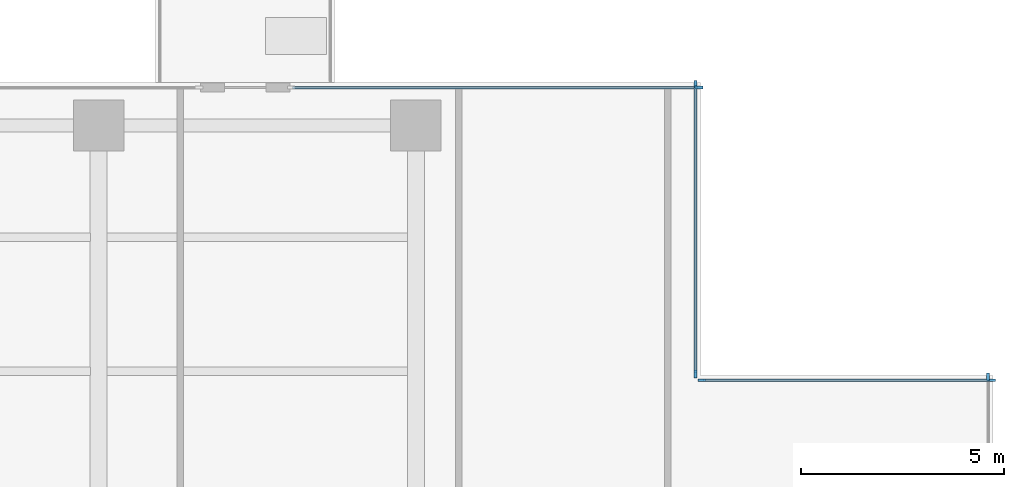
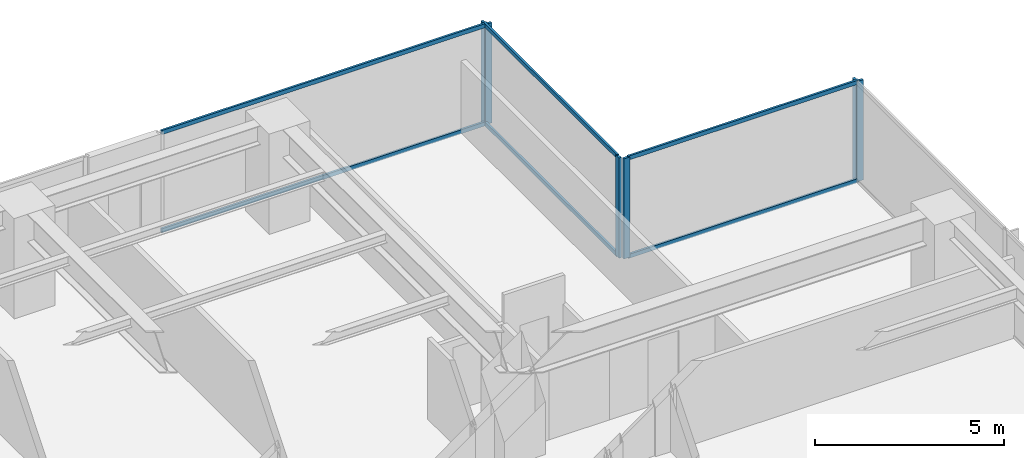
# One storey, part 6 of 17: 12 members, 4 elements without a shape of their own.
"""IFC4 building model written with IfcOpenShell, lengths in metres."""

from ifc_helpers import new_model, si_unit, direction, frame, origin, origin_2d, place, context, subcontext, project, spatial, rectangle, extrude, material, layer, layer_set, material_profile, profile_set, type_object, element, aggregate, save


model = new_model("IFC4")

# Units and contexts
model_context = context("Model", 3, precision=1e-05, world=origin(), true_north=direction((0.0, 1.0)))
body_context = subcontext(model_context, "Body", "Model", "MODEL_VIEW")
ifc_project = project(units=[si_unit("LENGTHUNIT", "METRE"), si_unit("AREAUNIT", "SQUARE_METRE"), si_unit("VOLUMEUNIT", "CUBIC_METRE"), si_unit("PLANEANGLEUNIT", "RADIAN"), si_unit("MASSUNIT", "GRAM", prefix="KILO")], contexts=[model_context])

# Site, building, storey
site_placement = place(None, origin())
site = spatial("IfcSite", under=ifc_project, at=site_placement, CompositionType="ELEMENT")
building_placement = place(site_placement, origin())
building = spatial("IfcBuilding", under=site, at=building_placement, Name="Qalmaran Belvedere Hotel", CompositionType="ELEMENT")
storey_placement = place(building_placement, frame((0.0, 0.0, 102.199951171875)))
storey = spatial("IfcBuildingStorey", under=building, at=storey_placement, Name="L25", CompositionType="ELEMENT", Elevation=102.199951171875)

# Curtain wall, member
ifc_material = material(Name="Anodised Bronze Aluminium", Category="aluminium")
ifc_layer = layer(ifc_material, 0.199951171875, Name="Anodised Bronze Aluminium")
ifc_layer_set = layer_set([ifc_layer], Name="Anodised Bronze Aluminium")
curtain_wall_type = type_object("IfcCurtainWallType", Name="CW3-TOWER-LOWMID", PredefinedType="NOTDEFINED", material=ifc_layer_set)
curtain_wall_1_placement = place(storey_placement, origin())
curtain_wall_1 = element("IfcCurtainWall", 1, at=curtain_wall_1_placement, inside=storey, type_object=curtain_wall_type, Name="L25 Curtain Wall CW3", PredefinedType="NOTDEFINED")
ifc_material_profile_1 = material_profile(ifc_material, rectangle(XDim=0.070068359375, YDim=0.18994140625, at=origin_2d()), Name="CWM70X190")
ifc_profile_set_1 = profile_set([ifc_material_profile_1], Name="Anodised Bronze Aluminium")
member_type_1 = type_object("IfcMemberType", Name="CWM-70X190", PredefinedType="MULLION", material=ifc_profile_set_1)
member_1_placement = place(storey_placement, frame((58.8798828125, 39.264892578125, 0.0), z_axis=(0.0, 0.0, 1.0), x_axis=(-1.0, 0.0, 0.0)))
member_1 = element("IfcMember", 2, at=member_1_placement, type_object=member_type_1, Name="CW3 mullion 5", PredefinedType="MULLION", context=body_context, shape_type="SweptSolid", body=[
    extrude(rectangle(XDim=0.070068359375, YDim=0.18994140625, at=origin_2d()), origin(), (0.0, 0.0, 1.0), 3.239990234375),
])
aggregate(curtain_wall_1, [member_1])

# Curtain wall, members
curtain_wall_2_placement = place(storey_placement, origin())
curtain_wall_2 = element("IfcCurtainWall", 3, at=curtain_wall_2_placement, inside=storey, type_object=curtain_wall_type, Name="L25 Curtain Wall CW3", PredefinedType="NOTDEFINED")
member_2_placement = place(storey_placement, frame((58.965087890625, 39.179931640625, 0.0), z_axis=(0.0, 0.0, 1.0), x_axis=(0.0, -1.0, 0.0)))
member_2 = element("IfcMember", 4, at=member_2_placement, type_object=member_type_1, Name="CW3 mullion 1", PredefinedType="MULLION", context=body_context, shape_type="SweptSolid", body=[
    extrude(rectangle(XDim=0.070068359375, YDim=0.18994140625, at=origin_2d()), origin(), (0.0, 0.0, 1.0), 3.239990234375),
])
member_3_placement = place(storey_placement, frame((51.8349609375, 39.179931640625, 0.0), z_axis=(0.0, 0.0, 1.0), x_axis=(0.0, -1.0, 0.0)))
member_3 = element("IfcMember", 5, at=member_3_placement, type_object=member_type_1, Name="CW3 mullion 2", PredefinedType="MULLION", context=body_context, shape_type="SweptSolid", body=[
    extrude(rectangle(XDim=0.070068359375, YDim=0.18994140625, at=origin_2d()), origin(), (0.0, 0.0, 1.0), 3.239990234375),
])

curtain_wall_3_placement = place(storey_placement, origin())
curtain_wall_3 = element("IfcCurtainWall", 6, at=curtain_wall_3_placement, inside=storey, type_object=curtain_wall_type, Name="L25 Curtain Wall CW3", PredefinedType="NOTDEFINED")
member_4_placement = place(storey_placement, frame((51.679931640625, 39.3349609375, 0.0), z_axis=(0.0, 0.0, 1.0), x_axis=(-1.0, 0.0, 0.0)))
member_4 = element("IfcMember", 7, at=member_4_placement, type_object=member_type_1, Name="CW3 mullion 1", PredefinedType="MULLION", context=body_context, shape_type="SweptSolid", body=[
    extrude(rectangle(XDim=0.070068359375, YDim=0.18994140625, at=origin_2d()), origin(), (0.0, 0.0, 1.0), 3.239990234375),
])
member_5_placement = place(storey_placement, frame((51.679931640625, 46.465087890625, 0.0), z_axis=(0.0, 0.0, 1.0), x_axis=(-1.0, 0.0, 0.0)))
member_5 = element("IfcMember", 8, at=member_5_placement, type_object=member_type_1, Name="CW3 mullion 2", PredefinedType="MULLION", context=body_context, shape_type="SweptSolid", body=[
    extrude(rectangle(XDim=0.070068359375, YDim=0.18994140625, at=origin_2d()), origin(), (0.0, 0.0, 1.0), 3.239990234375),
])

# Curtain wall, member
curtain_wall_4_placement = place(storey_placement, origin())
curtain_wall_4 = element("IfcCurtainWall", 9, at=curtain_wall_4_placement, inside=storey, type_object=curtain_wall_type, Name="L25 Curtain Wall CW3", PredefinedType="NOTDEFINED")
member_6_placement = place(storey_placement, frame((51.764892578125, 46.3798828125, 0.0), z_axis=(0.0, 0.0, 1.0), x_axis=(0.0, -1.0, 0.0)))
member_6 = element("IfcMember", 10, at=member_6_placement, type_object=member_type_1, Name="CW3 mullion 1", PredefinedType="MULLION", context=body_context, shape_type="SweptSolid", body=[
    extrude(rectangle(XDim=0.070068359375, YDim=0.18994140625, at=origin_2d()), origin(), (0.0, 0.0, 1.0), 3.239990234375),
])

# Member
ifc_material_profile_2 = material_profile(ifc_material, rectangle(XDim=0.06494140625, YDim=0.1298828125, at=origin_2d()), Name="CWT65X130")
ifc_profile_set_2 = profile_set([ifc_material_profile_2], Name="Anodised Bronze Aluminium")
member_type_2 = type_object("IfcMemberType", Name="CWT-65X130", PredefinedType="USERDEFINED", material=ifc_profile_set_2)
member_7_placement = place(storey_placement, frame((58.929931640625, 39.179931640625, 0.032470703125), z_axis=(-1.0, 0.0, 0.0), x_axis=(0.0, -1.0, 0.0)))
member_7 = element("IfcMember", 11, at=member_7_placement, type_object=member_type_2, Name="CW3 transom 1.1", ObjectType="TRANSOM", PredefinedType="USERDEFINED", context=body_context, shape_type="SweptSolid", body=[
    extrude(rectangle(XDim=0.06494140625, YDim=0.1298828125, at=origin_2d()), origin(), (0.0, 0.0, 1.0), 7.059814453125),
])

member_8_placement = place(storey_placement, frame((58.929931640625, 39.179931640625, 3.20751953125), z_axis=(-1.0, 0.0, 0.0), x_axis=(0.0, -1.0, 0.0)))
member_8 = element("IfcMember", 12, at=member_8_placement, type_object=member_type_2, Name="CW3 transom 1.2", ObjectType="TRANSOM", PredefinedType="USERDEFINED", context=body_context, shape_type="SweptSolid", body=[
    extrude(rectangle(XDim=0.06494140625, YDim=0.1298828125, at=origin_2d()), origin(), (0.0, 0.0, 1.0), 7.059814453125),
])

aggregate(curtain_wall_2, [member_2, member_3, member_7, member_8])

member_9_placement = place(storey_placement, frame((51.679931640625, 39.3701171875, 0.032470703125), z_axis=(0.0, 1.0, 0.0), x_axis=(-1.0, 0.0, 0.0)))
member_9 = element("IfcMember", 13, at=member_9_placement, type_object=member_type_2, Name="CW3 transom 1.1", ObjectType="TRANSOM", PredefinedType="USERDEFINED", context=body_context, shape_type="SweptSolid", body=[
    extrude(rectangle(XDim=0.06494140625, YDim=0.1298828125, at=origin_2d()), origin(), (0.0, 0.0, 1.0), 7.059814453125),
])

member_10_placement = place(storey_placement, frame((51.679931640625, 39.3701171875, 3.20751953125), z_axis=(0.0, 1.0, 0.0), x_axis=(-1.0, 0.0, 0.0)))
member_10 = element("IfcMember", 14, at=member_10_placement, type_object=member_type_2, Name="CW3 transom 1.2", ObjectType="TRANSOM", PredefinedType="USERDEFINED", context=body_context, shape_type="SweptSolid", body=[
    extrude(rectangle(XDim=0.06494140625, YDim=0.1298828125, at=origin_2d()), origin(), (0.0, 0.0, 1.0), 7.059814453125),
])

aggregate(curtain_wall_3, [member_4, member_5, member_9, member_10])

member_11_placement = place(storey_placement, frame((51.72998046875, 46.3798828125, 0.032470703125), z_axis=(-1.0, 0.0, 0.0), x_axis=(0.0, -1.0, 0.0)))
member_11 = element("IfcMember", 15, at=member_11_placement, type_object=member_type_2, Name="CW3 transom 1.1", ObjectType="TRANSOM", PredefinedType="USERDEFINED", context=body_context, shape_type="SweptSolid", body=[
    extrude(rectangle(XDim=0.06494140625, YDim=0.1298828125, at=origin_2d()), origin(), (0.0, 0.0, 1.0), 9.9599609375),
])

member_12_placement = place(storey_placement, frame((51.72998046875, 46.3798828125, 3.20751953125), z_axis=(-1.0, 0.0, 0.0), x_axis=(0.0, -1.0, 0.0)))
member_12 = element("IfcMember", 16, at=member_12_placement, type_object=member_type_2, Name="CW3 transom 1.2", ObjectType="TRANSOM", PredefinedType="USERDEFINED", context=body_context, shape_type="SweptSolid", body=[
    extrude(rectangle(XDim=0.06494140625, YDim=0.1298828125, at=origin_2d()), origin(), (0.0, 0.0, 1.0), 9.9599609375),
])

aggregate(curtain_wall_4, [member_6, member_11, member_12])

save(model, "model.ifc")
